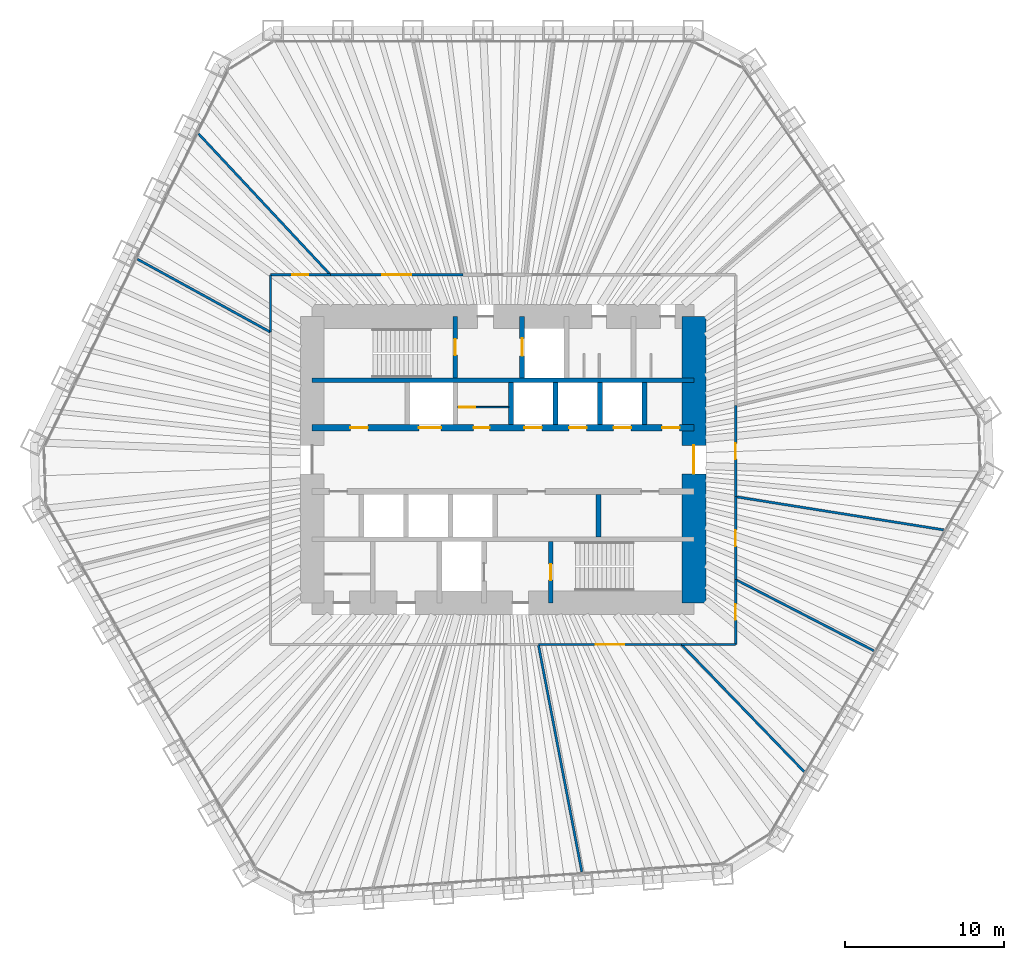
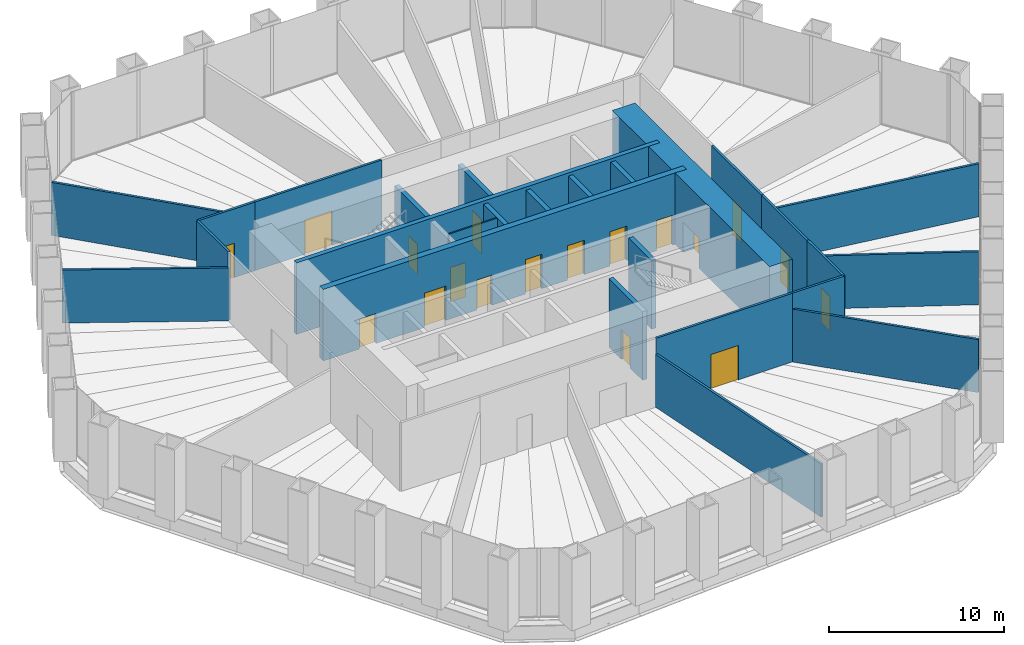
# One storey, part 11 of 13: 26 walls, 18 doors, 18 openings.
"""IFC4 building model written with IfcOpenShell, lengths in metres."""

from ifc_helpers import new_model, si_unit, direction, frame, frame_2d, origin, place, context, subcontext, project, spatial, rectangle, extrude, material, layer, layer_set, type_object, element, fill, save


model = new_model("IFC4")

# Units and contexts
model_context = context("Model", 3, precision=1e-05, world=origin(), true_north=direction((0.0, 1.0)))
body_context = subcontext(model_context, "Body", "Model", "MODEL_VIEW")
ifc_project = project(units=[si_unit("LENGTHUNIT", "METRE"), si_unit("AREAUNIT", "SQUARE_METRE"), si_unit("VOLUMEUNIT", "CUBIC_METRE"), si_unit("PLANEANGLEUNIT", "RADIAN"), si_unit("MASSUNIT", "GRAM", prefix="KILO")], contexts=[model_context])

# Site, building, storey
site_placement = place(None, origin())
site = spatial("IfcSite", under=ifc_project, at=site_placement, CompositionType="ELEMENT")
building_placement = place(site_placement, origin())
building = spatial("IfcBuilding", under=site, at=building_placement, Name="Qingtian Harvest Tower", CompositionType="ELEMENT")
storey_placement = place(building_placement, frame((0.0, 0.0, 77.0)))
storey = spatial("IfcBuildingStorey", under=building, at=storey_placement, Name="L15", CompositionType="ELEMENT", Elevation=77.0)

# Wall
ifc_material_1 = material(Name="Concrete fc' 70 MPa", Category="concrete")
ifc_layer_1 = layer(ifc_material_1, 0.300048828125)
ifc_layer_set_1 = layer_set([ifc_layer_1], Name="Core inner wall RC5 300")
wall_type_1 = type_object("IfcWallType", Name="Core inner wall RC5 300", PredefinedType="SHEAR", material=ifc_layer_set_1)
wall_1_placement = place(storey_placement, frame((-12.0, 5.0, 0.0), z_axis=(0.0, 0.0, 1.0), x_axis=(1.0, 0.0, 0.0)))
element("IfcWall", 1, at=wall_1_placement, inside=storey, type_object=wall_type_1, Name="Core wall IN5 L15", PredefinedType="SHEAR", context=body_context, shape_type="SweptSolid", body=[
    extrude(rectangle(XDim=24.0, YDim=0.300048828125, at=frame_2d((12.0, 0.0))), origin(), (0.0, 0.0, 1.0), 5.0),
])

# Wall, openings, doors
ifc_material_2 = material(Name="Concrete fc' 70 MPa", Category="concrete")
ifc_layer_2 = layer(ifc_material_2, 0.39990234375)
ifc_layer_set_2 = layer_set([ifc_layer_2], Name="Core inner web RC6 400")
wall_type_2 = type_object("IfcWallType", Name="Core inner web RC6 400", PredefinedType="SHEAR", material=ifc_layer_set_2)
wall_2_placement = place(storey_placement, frame((-12.0, 2.0, 0.0), z_axis=(0.0, 0.0, 1.0), x_axis=(1.0, 0.0, 0.0)))
wall_2 = element("IfcWall", 2, at=wall_2_placement, inside=storey, type_object=wall_type_2, Name="Core wall IN2 L15", PredefinedType="SHEAR", context=body_context, shape_type="SweptSolid", body=[
    extrude(rectangle(XDim=24.0, YDim=0.39990234375, at=frame_2d((12.0, 0.0))), origin(), (0.0, 0.0, 1.0), 5.0),
])
opening_1_placement = place(wall_2_placement, frame((2.39990234375, 0.0, 0.0)))
opening_1 = element("IfcOpeningElement", 3, at=opening_1_placement, cuts=wall_2, Name="Opening FD4", PredefinedType="OPENING", context=body_context, shape_type="SweptSolid", body=[
    extrude(rectangle(XDim=1.10009765625, YDim=2.10009765625, at=frame_2d((0.550048828125, 1.050048828125))), frame((0.0, 0.2099609375, 0.0), z_axis=(0.0, -1.0, 0.0), x_axis=(1.0, 0.0, 0.0)), (0.0, 0.0, 1.0), 0.419921875),
])
opening_2_placement = place(wall_2_placement, frame((22.0, 0.0, 0.0)))
opening_2 = element("IfcOpeningElement", 4, at=opening_2_placement, cuts=wall_2, Name="Opening FD4", PredefinedType="OPENING", context=body_context, shape_type="SweptSolid", body=[
    extrude(rectangle(XDim=1.10009765625, YDim=2.10009765625, at=frame_2d((0.550048828125, 1.050048828125))), frame((0.0, 0.2099609375, 0.0), z_axis=(0.0, -1.0, 0.0), x_axis=(1.0, 0.0, 0.0)), (0.0, 0.0, 1.0), 0.419921875),
])
opening_3_placement = place(wall_2_placement, frame((10.14990234375, 0.0, 0.0)))
opening_3 = element("IfcOpeningElement", 5, at=opening_3_placement, cuts=wall_2, Name="Opening FD1", PredefinedType="OPENING", context=body_context, shape_type="SweptSolid", body=[
    extrude(rectangle(XDim=1.0, YDim=2.10009765625, at=frame_2d((0.5, 1.050048828125))), frame((0.0, 0.2099609375, 0.0), z_axis=(0.0, -1.0, 0.0), x_axis=(1.0, 0.0, 0.0)), (0.0, 0.0, 1.0), 0.419921875),
])
opening_4_placement = place(wall_2_placement, frame((6.699951171875, 0.0, 0.0)))
opening_4 = element("IfcOpeningElement", 6, at=opening_4_placement, cuts=wall_2, Name="Opening LD2", PredefinedType="OPENING", context=body_context, shape_type="SweptSolid", body=[
    extrude(rectangle(XDim=1.39990234375, YDim=2.39990234375, at=frame_2d((0.699951171875, 1.199951171875))), frame((0.0, 0.2099609375, 0.0), z_axis=(0.0, -1.0, 0.0), x_axis=(1.0, 0.0, 0.0)), (0.0, 0.0, 1.0), 0.419921875),
])
opening_5_placement = place(wall_2_placement, frame((13.35009765625, 0.0, 0.0)))
opening_5 = element("IfcOpeningElement", 7, at=opening_5_placement, cuts=wall_2, Name="Opening LD1", PredefinedType="OPENING", context=body_context, shape_type="SweptSolid", body=[
    extrude(rectangle(XDim=1.10009765625, YDim=2.39990234375, at=frame_2d((0.550048828125, 1.199951171875))), frame((0.0, 0.2099609375, 0.0), z_axis=(0.0, -1.0, 0.0), x_axis=(1.0, 0.0, 0.0)), (0.0, 0.0, 1.0), 0.419921875),
])
opening_6_placement = place(wall_2_placement, frame((16.14990234375, 0.0, 0.0)))
opening_6 = element("IfcOpeningElement", 8, at=opening_6_placement, cuts=wall_2, Name="Opening LD1", PredefinedType="OPENING", context=body_context, shape_type="SweptSolid", body=[
    extrude(rectangle(XDim=1.10009765625, YDim=2.39990234375, at=frame_2d((0.550048828125, 1.199951171875))), frame((0.0, 0.2099609375, 0.0), z_axis=(0.0, -1.0, 0.0), x_axis=(1.0, 0.0, 0.0)), (0.0, 0.0, 1.0), 0.419921875),
])
opening_7_placement = place(wall_2_placement, frame((18.949951171875, 0.0, 0.0)))
opening_7 = element("IfcOpeningElement", 9, at=opening_7_placement, cuts=wall_2, Name="Opening LD1", PredefinedType="OPENING", context=body_context, shape_type="SweptSolid", body=[
    extrude(rectangle(XDim=1.10009765625, YDim=2.39990234375, at=frame_2d((0.550048828125, 1.199951171875))), frame((0.0, 0.2099609375, 0.0), z_axis=(0.0, -1.0, 0.0), x_axis=(1.0, 0.0, 0.0)), (0.0, 0.0, 1.0), 0.419921875),
])
ifc_material_3 = material(Name="Steel-faced door leaf", Category="steel")
door_type_1 = type_object("IfcDoorType", Name="Fire door FD1 single 1 HR", OperationType="SINGLE_SWING_LEFT", PredefinedType="DOOR", material=ifc_material_3)
door_1_placement = place(opening_3_placement, origin())
door_1 = element("IfcDoor", 10, at=door_1_placement, inside=storey, type_object=door_type_1, Name="STA door L15", OperationType="SINGLE_SWING_LEFT", OverallHeight=2.10009765625, OverallWidth=1.0, PredefinedType="DOOR", context=body_context, shape_type="SweptSolid", body=[
    extrude(rectangle(XDim=1.0, YDim=2.10009765625, at=frame_2d((0.5, 1.050048828125))), frame((0.0, 0.02490234375, 0.0), z_axis=(0.0, -1.0, 0.0), x_axis=(1.0, 0.0, 0.0)), (0.0, 0.0, 1.0), 0.050048828125),
])
fill(opening_3, door_1)
ifc_material_4 = material(Name="Steel-faced door leaf", Category="steel")
door_type_2 = type_object("IfcDoorType", Name="Fire door FD4 single 2 HR", OperationType="SINGLE_SWING_LEFT", PredefinedType="DOOR", material=ifc_material_4)
door_2_placement = place(opening_1_placement, origin())
door_2 = element("IfcDoor", 11, at=door_2_placement, inside=storey, type_object=door_type_2, Name="RA door L15", OperationType="SINGLE_SWING_LEFT", OverallHeight=2.10009765625, OverallWidth=1.10009765625, PredefinedType="DOOR", context=body_context, shape_type="SweptSolid", body=[
    extrude(rectangle(XDim=1.10009765625, YDim=2.10009765625, at=frame_2d((0.550048828125, 1.050048828125))), frame((0.0, 0.02490234375, 0.0), z_axis=(0.0, -1.0, 0.0), x_axis=(1.0, 0.0, 0.0)), (0.0, 0.0, 1.0), 0.050048828125),
])
fill(opening_1, door_2)
door_3_placement = place(opening_2_placement, origin())
door_3 = element("IfcDoor", 12, at=door_3_placement, inside=storey, type_object=door_type_2, Name="AHU door L15", OperationType="SINGLE_SWING_RIGHT", OverallHeight=2.10009765625, OverallWidth=1.10009765625, PredefinedType="DOOR", context=body_context, shape_type="SweptSolid", body=[
    extrude(rectangle(XDim=1.10009765625, YDim=2.10009765625, at=frame_2d((0.550048828125, 1.050048828125))), frame((0.0, 0.02490234375, 0.0), z_axis=(0.0, -1.0, 0.0), x_axis=(1.0, 0.0, 0.0)), (0.0, 0.0, 1.0), 0.050048828125),
])
fill(opening_2, door_3)
ifc_material_5 = material(Name="Stainless steel lift landing door", Category="steel")
door_type_3 = type_object("IfcDoorType", Name="Goods lift landing door LD2 1 HR", OperationType="DOUBLE_DOOR_SLIDING", PredefinedType="DOOR", material=ifc_material_5)
door_4_placement = place(opening_4_placement, origin())
door_4 = element("IfcDoor", 13, at=door_4_placement, inside=storey, type_object=door_type_3, Name="GL1 landing door L15", OperationType="DOUBLE_DOOR_SLIDING", OverallHeight=2.39990234375, OverallWidth=1.39990234375, PredefinedType="DOOR", context=body_context, shape_type="SweptSolid", body=[
    extrude(rectangle(XDim=1.39990234375, YDim=2.39990234375, at=frame_2d((0.699951171875, 1.199951171875))), frame((0.0, 0.02490234375, 0.0), z_axis=(0.0, -1.0, 0.0), x_axis=(1.0, 0.0, 0.0)), (0.0, 0.0, 1.0), 0.050048828125),
])
fill(opening_4, door_4)
ifc_material_6 = material(Name="Stainless steel lift landing door", Category="steel")
door_type_4 = type_object("IfcDoorType", Name="Lift landing door LD1 1 HR", OperationType="DOUBLE_DOOR_SLIDING", PredefinedType="DOOR", material=ifc_material_6)
door_5_placement = place(opening_5_placement, origin())
door_5 = element("IfcDoor", 14, at=door_5_placement, inside=storey, type_object=door_type_4, Name="PLA1 landing door L15", OperationType="DOUBLE_DOOR_SLIDING", OverallHeight=2.39990234375, OverallWidth=1.10009765625, PredefinedType="DOOR", context=body_context, shape_type="SweptSolid", body=[
    extrude(rectangle(XDim=1.10009765625, YDim=2.39990234375, at=frame_2d((0.550048828125, 1.199951171875))), frame((0.0, 0.02490234375, 0.0), z_axis=(0.0, -1.0, 0.0), x_axis=(1.0, 0.0, 0.0)), (0.0, 0.0, 1.0), 0.050048828125),
])
fill(opening_5, door_5)
door_6_placement = place(opening_6_placement, origin())
door_6 = element("IfcDoor", 15, at=door_6_placement, inside=storey, type_object=door_type_4, Name="PLA2 landing door L15", OperationType="DOUBLE_DOOR_SLIDING", OverallHeight=2.39990234375, OverallWidth=1.10009765625, PredefinedType="DOOR", context=body_context, shape_type="SweptSolid", body=[
    extrude(rectangle(XDim=1.10009765625, YDim=2.39990234375, at=frame_2d((0.550048828125, 1.199951171875))), frame((0.0, 0.02490234375, 0.0), z_axis=(0.0, -1.0, 0.0), x_axis=(1.0, 0.0, 0.0)), (0.0, 0.0, 1.0), 0.050048828125),
])
fill(opening_6, door_6)
door_7_placement = place(opening_7_placement, origin())
door_7 = element("IfcDoor", 16, at=door_7_placement, inside=storey, type_object=door_type_4, Name="PLA3 landing door L15", OperationType="DOUBLE_DOOR_SLIDING", OverallHeight=2.39990234375, OverallWidth=1.10009765625, PredefinedType="DOOR", context=body_context, shape_type="SweptSolid", body=[
    extrude(rectangle(XDim=1.10009765625, YDim=2.39990234375, at=frame_2d((0.550048828125, 1.199951171875))), frame((0.0, 0.02490234375, 0.0), z_axis=(0.0, -1.0, 0.0), x_axis=(1.0, 0.0, 0.0)), (0.0, 0.0, 1.0), 0.050048828125),
])
fill(opening_7, door_7)

# Wall, opening, door
ifc_material_7 = material(Name="Precast concrete shaft panel", Category="concrete")
ifc_layer_3 = layer(ifc_material_7, 0.300048828125)
ifc_layer_set_3 = layer_set([ifc_layer_3], Name="Core shaft partition SW1 300")
wall_type_3 = type_object("IfcWallType", Name="Core shaft partition SW1 300", PredefinedType="PARTITIONING", material=ifc_layer_set_3)
wall_3_placement = place(storey_placement, frame((-3.0, 5.14990234375, 0.0), z_axis=(0.0, 0.0, 1.0), x_axis=(0.0, 1.0, 0.0)))
wall_3 = element("IfcWall", 17, at=wall_3_placement, inside=storey, type_object=wall_type_3, Name="Core shaft partition XN1 L15", PredefinedType="PARTITIONING", context=body_context, shape_type="SweptSolid", body=[
    extrude(rectangle(XDim=3.85009765625, YDim=0.300048828125, at=frame_2d((1.925048828125, 0.0))), origin(), (0.0, 0.0, 1.0), 4.780029296875),
])
opening_8_placement = place(wall_3_placement, frame((1.425048828125, 0.0, 0.0)))
opening_8 = element("IfcOpeningElement", 18, at=opening_8_placement, cuts=wall_3, Name="Opening FD1", PredefinedType="OPENING", context=body_context, shape_type="SweptSolid", body=[
    extrude(rectangle(XDim=1.0, YDim=2.10009765625, at=frame_2d((0.5, 1.050048828125))), frame((0.0, 0.159912109375, 0.0), z_axis=(0.0, -1.0, 0.0), x_axis=(1.0, 0.0, 0.0)), (0.0, 0.0, 1.0), 0.320068359375),
])
door_8_placement = place(opening_8_placement, origin())
door_8 = element("IfcDoor", 19, at=door_8_placement, inside=storey, type_object=door_type_1, Name="S1 door L15", OperationType="SINGLE_SWING_RIGHT", OverallHeight=2.10009765625, OverallWidth=1.0, PredefinedType="DOOR", context=body_context, shape_type="SweptSolid", body=[
    extrude(rectangle(XDim=1.0, YDim=2.10009765625, at=frame_2d((0.5, 1.050048828125))), frame((0.0, 0.02490234375, 0.0), z_axis=(0.0, -1.0, 0.0), x_axis=(1.0, 0.0, 0.0)), (0.0, 0.0, 1.0), 0.050048828125),
])
fill(opening_8, door_8)

wall_4_placement = place(storey_placement, frame((1.199951171875, 5.14990234375, 0.0), z_axis=(0.0, 0.0, 1.0), x_axis=(0.0, 1.0, 0.0)))
wall_4 = element("IfcWall", 20, at=wall_4_placement, inside=storey, type_object=wall_type_3, Name="Core shaft partition XN2 L15", PredefinedType="PARTITIONING", context=body_context, shape_type="SweptSolid", body=[
    extrude(rectangle(XDim=3.85009765625, YDim=0.300048828125, at=frame_2d((1.925048828125, 0.0))), origin(), (0.0, 0.0, 1.0), 4.780029296875),
])
opening_9_placement = place(wall_4_placement, frame((1.375, 0.0, 0.0)))
opening_9 = element("IfcOpeningElement", 21, at=opening_9_placement, cuts=wall_4, Name="Opening LD1", PredefinedType="OPENING", context=body_context, shape_type="SweptSolid", body=[
    extrude(rectangle(XDim=1.10009765625, YDim=2.39990234375, at=frame_2d((0.550048828125, 1.199951171875))), frame((0.0, 0.159912109375, 0.0), z_axis=(0.0, -1.0, 0.0), x_axis=(1.0, 0.0, 0.0)), (0.0, 0.0, 1.0), 0.320068359375),
])
door_9_placement = place(opening_9_placement, origin())
door_9 = element("IfcDoor", 22, at=door_9_placement, inside=storey, type_object=door_type_4, Name="FL1 landing door L15", OperationType="DOUBLE_DOOR_SLIDING", OverallHeight=2.39990234375, OverallWidth=1.10009765625, PredefinedType="DOOR", context=body_context, shape_type="SweptSolid", body=[
    extrude(rectangle(XDim=1.10009765625, YDim=2.39990234375, at=frame_2d((0.550048828125, 1.199951171875))), frame((0.0, 0.02490234375, 0.0), z_axis=(0.0, -1.0, 0.0), x_axis=(1.0, 0.0, 0.0)), (0.0, 0.0, 1.0), 0.050048828125),
])
fill(opening_9, door_9)

# Walls
for number, where, z_axis, x_axis, name in (
    (23, (0.5, 2.199951171875, 0.0), (0.0, 0.0, 1.0), (0.0, 1.0, 0.0), "Core shaft partition XA3 L15"),
    (24, (3.300048828125, 2.199951171875, 0.0), (0.0, 0.0, 1.0), (0.0, 1.0, 0.0), "Core shaft partition XA4 L15"),
    (25, (6.10009765625, 2.199951171875, 0.0), (0.0, 0.0, 1.0), (0.0, 1.0, 0.0), "Core shaft partition XA5 L15"),
    (26, (8.89990234375, 2.199951171875, 0.0), (0.0, 0.0, 1.0), (0.0, 1.0, 0.0), "Core shaft partition XA6 L15"),
    (27, (6.0, -4.85009765625, 0.0), (0.0, 0.0, 1.0), (0.0, 1.0, 0.0), "Core shaft partition XB5 L15"),
):
    element("IfcWall", number, at=place(storey_placement, frame(where, z_axis=z_axis, x_axis=x_axis)), inside=storey, type_object=wall_type_3, Name=name, PredefinedType="PARTITIONING", context=body_context, shape_type="SweptSolid", body=[
        extrude(rectangle(XDim=2.650146484375, YDim=0.300048828125, at=frame_2d((1.3251953125, 0.0))), origin(), (0.0, 0.0, 1.0), 4.780029296875),
    ])

# Wall, opening, door
wall_5_placement = place(storey_placement, frame((3.0, -9.0, 0.0), z_axis=(0.0, 0.0, 1.0), x_axis=(0.0, 1.0, 0.0)))
wall_5 = element("IfcWall", 28, at=wall_5_placement, inside=storey, type_object=wall_type_3, Name="Core shaft partition XS4 L15", PredefinedType="PARTITIONING", context=body_context, shape_type="SweptSolid", body=[
    extrude(rectangle(XDim=3.85009765625, YDim=0.300048828125, at=frame_2d((1.925048828125, 0.0))), origin(), (0.0, 0.0, 1.0), 4.780029296875),
])
opening_10_placement = place(wall_5_placement, frame((1.425048828125, 0.0, 0.0)))
opening_10 = element("IfcOpeningElement", 29, at=opening_10_placement, cuts=wall_5, Name="Opening FD1", PredefinedType="OPENING", context=body_context, shape_type="SweptSolid", body=[
    extrude(rectangle(XDim=1.0, YDim=2.10009765625, at=frame_2d((0.5, 1.050048828125))), frame((0.0, 0.159912109375, 0.0), z_axis=(0.0, -1.0, 0.0), x_axis=(1.0, 0.0, 0.0)), (0.0, 0.0, 1.0), 0.320068359375),
])
door_10_placement = place(opening_10_placement, origin())
door_10 = element("IfcDoor", 30, at=door_10_placement, inside=storey, type_object=door_type_1, Name="S2 door L15", OperationType="SINGLE_SWING_LEFT", OverallHeight=2.10009765625, OverallWidth=1.0, PredefinedType="DOOR", context=body_context, shape_type="SweptSolid", body=[
    extrude(rectangle(XDim=1.0, YDim=2.10009765625, at=frame_2d((0.5, 1.050048828125))), frame((0.0, 0.02490234375, 0.0), z_axis=(0.0, -1.0, 0.0), x_axis=(1.0, 0.0, 0.0)), (0.0, 0.0, 1.0), 0.050048828125),
])
fill(opening_10, door_10)

ifc_material_8 = material(Name="Concrete fc' 70 MPa", Category="concrete")
ifc_layer_4 = layer(ifc_material_8, 1.5)
ifc_layer_set_4 = layer_set([ifc_layer_4], Name="Core wall RC1 1500")
wall_type_4 = type_object("IfcWallType", Name="Core wall RC1 1500", PredefinedType="SHEAR", material=ifc_layer_set_4)
wall_6_placement = place(storey_placement, frame((12.0, -9.0, 0.0), z_axis=(0.0, 0.0, 1.0), x_axis=(0.0, 1.0, 0.0)))
wall_6 = element("IfcWall", 31, at=wall_6_placement, inside=storey, type_object=wall_type_4, Name="Core wall CE L15", PredefinedType="SHEAR", context=body_context, shape_type="SweptSolid", body=[
    extrude(rectangle(XDim=18.0, YDim=1.5, at=frame_2d((9.0, 0.0))), origin(), (0.0, 0.0, 1.0), 5.0),
])
opening_11_placement = place(wall_6_placement, frame((8.10009765625, 0.0, 0.0)))
opening_11 = element("IfcOpeningElement", 32, at=opening_11_placement, cuts=wall_6, Name="Opening FD2", PredefinedType="OPENING", context=body_context, shape_type="SweptSolid", body=[
    extrude(rectangle(XDim=1.800048828125, YDim=2.10009765625, at=frame_2d((0.89990234375, 1.050048828125))), frame((0.0, 0.760009765625, 0.0), z_axis=(0.0, -1.0, 0.0), x_axis=(1.0, 0.0, 0.0)), (0.0, 0.0, 1.0), 1.52001953125),
])
ifc_material_9 = material(Name="Steel-faced door leaf", Category="steel")
door_type_5 = type_object("IfcDoorType", Name="Fire door FD2 double 1 HR", OperationType="DOUBLE_DOOR_DOUBLE_SWING", PredefinedType="DOOR", material=ifc_material_9)
door_11_placement = place(opening_11_placement, origin())
door_11 = element("IfcDoor", 33, at=door_11_placement, inside=storey, type_object=door_type_5, Name="LOBBY-E door L15", OperationType="DOUBLE_DOOR_DOUBLE_SWING", OverallHeight=2.10009765625, OverallWidth=1.800048828125, PredefinedType="DOOR", context=body_context, shape_type="SweptSolid", body=[
    extrude(rectangle(XDim=1.800048828125, YDim=2.10009765625, at=frame_2d((0.89990234375, 1.050048828125))), frame((0.0, 0.02490234375, 0.0), z_axis=(0.0, -1.0, 0.0), x_axis=(1.0, 0.0, 0.0)), (0.0, 0.0, 1.0), 0.050048828125),
])
fill(opening_11, door_11)

# Wall
ifc_material_10 = material(Name="Gypsum board on steel studs", Category="steel")
ifc_layer_5 = layer(ifc_material_10, 0.14990234375)
ifc_layer_set_5 = layer_set([ifc_layer_5], Name="Partition PT1 150")
wall_type_5 = type_object("IfcWallType", Name="Partition PT1 150", PredefinedType="PARTITIONING", material=ifc_layer_set_5)
wall_7_placement = place(storey_placement, frame((18.93115234375, -19.617919921875, 0.0), z_axis=(0.0, 0.0, 1.0), x_axis=(-0.694400324326, 0.719588903178, 0.0)))
element("IfcWall", 34, at=wall_7_placement, inside=storey, type_object=wall_type_5, Name="Tomato growing room wall L15", PredefinedType="PARTITIONING", context=body_context, shape_type="SweptSolid", body=[
    extrude(rectangle(XDim=11.107666015625, YDim=0.14990234375, at=frame_2d((5.5537109375, 0.0))), origin(), (0.0, 0.0, 1.0), 3.699951171875),
])

# Wall, opening, door
wall_8_placement = place(storey_placement, frame((11.218017578125, -11.625, 0.0), z_axis=(0.0, 0.0, 1.0), x_axis=(-1.0, 0.0, 0.0)))
wall_8 = element("IfcWall", 35, at=wall_8_placement, inside=storey, type_object=wall_type_5, Name="Tomato growing room wall L15", PredefinedType="PARTITIONING", context=body_context, shape_type="SweptSolid", body=[
    extrude(rectangle(XDim=8.99560546875, YDim=0.14990234375, at=frame_2d((4.497802734375, 0.0))), origin(), (0.0, 0.0, 1.0), 4.800048828125),
])
opening_12_placement = place(wall_8_placement, frame((3.597900390625, 0.0, 0.0)))
opening_12 = element("IfcOpeningElement", 36, at=opening_12_placement, cuts=wall_8, Name="Opening D3", PredefinedType="OPENING", context=body_context, shape_type="SweptSolid", body=[
    extrude(rectangle(XDim=1.800048828125, YDim=2.39990234375, at=frame_2d((0.89990234375, 1.199951171875))), frame((0.0, 0.0849609375, 0.0), z_axis=(0.0, -1.0, 0.0), x_axis=(1.0, 0.0, 0.0)), (0.0, 0.0, 1.0), 0.169921875),
])
ifc_material_11 = material(Name="Laminated timber door leaf", Category="wood")
door_type_6 = type_object("IfcDoorType", Name="Room door D3 double", OperationType="DOUBLE_DOOR_DOUBLE_SWING", PredefinedType="DOOR", material=ifc_material_11)
door_12_placement = place(opening_12_placement, origin())
door_12 = element("IfcDoor", 37, at=door_12_placement, inside=storey, type_object=door_type_6, Name="Tomato growing room door L15", OperationType="DOUBLE_DOOR_DOUBLE_SWING", OverallHeight=2.39990234375, OverallWidth=1.800048828125, PredefinedType="DOOR", context=body_context, shape_type="SweptSolid", body=[
    extrude(rectangle(XDim=1.800048828125, YDim=2.39990234375, at=frame_2d((0.89990234375, 1.199951171875))), frame((0.0, 0.02490234375, 0.0), z_axis=(0.0, -1.0, 0.0), x_axis=(1.0, 0.0, 0.0)), (0.0, 0.0, 1.0), 0.050048828125),
])
fill(opening_12, door_12)

# Walls
wall_9_placement = place(storey_placement, frame((4.955078125, -25.918212890625, 0.0), z_axis=(0.0, 0.0, 1.0), x_axis=(-0.187785090129, 0.98221014041, 0.0)))
element("IfcWall", 38, at=wall_9_placement, inside=storey, type_object=wall_type_5, Name="Strawberry growing room wall L15", PredefinedType="PARTITIONING", context=body_context, shape_type="SweptSolid", body=[
    extrude(rectangle(XDim=14.552001953125, YDim=0.14990234375, at=frame_2d((7.27587890625, 0.0))), origin(), (0.0, 0.0, 1.0), 3.699951171875),
])
wall_10_placement = place(storey_placement, frame((-22.999267578125, 12.611572265625, 0.0), z_axis=(0.0, 0.0, 1.0), x_axis=(0.876825619135, -0.480808520752, 0.0)))
element("IfcWall", 39, at=wall_10_placement, inside=storey, type_object=wall_type_5, Name="Seedling nursery wall L15", PredefinedType="PARTITIONING", context=body_context, shape_type="SweptSolid", body=[
    extrude(rectangle(XDim=9.55078125, YDim=0.14990234375, at=frame_2d((4.775390625, 0.0))), origin(), (0.0, 0.0, 1.0), 3.699951171875),
])
wall_11_placement = place(storey_placement, frame((-14.625, 8.01953125, 0.0), z_axis=(0.0, 0.0, 1.0), x_axis=(0.0, 1.0, 0.0)))
element("IfcWall", 40, at=wall_11_placement, inside=storey, type_object=wall_type_5, Name="Seedling nursery wall L15", PredefinedType="PARTITIONING", context=body_context, shape_type="SweptSolid", body=[
    extrude(rectangle(XDim=3.60546875, YDim=0.14990234375, at=frame_2d((1.802734375, 0.0))), origin(), (0.0, 0.0, 1.0), 4.800048828125),
])

# Wall, opening, door
wall_12_placement = place(storey_placement, frame((-14.625, 11.625, 0.0), z_axis=(0.0, 0.0, 1.0), x_axis=(1.0, 0.0, 0.0)))
wall_12 = element("IfcWall", 41, at=wall_12_placement, inside=storey, type_object=wall_type_5, Name="Seedling nursery wall L15", PredefinedType="PARTITIONING", context=body_context, shape_type="SweptSolid", body=[
    extrude(rectangle(XDim=3.763671875, YDim=0.14990234375, at=frame_2d((1.8818359375, 0.0))), origin(), (0.0, 0.0, 1.0), 4.800048828125),
])
opening_13_placement = place(wall_12_placement, frame((1.3818359375, 0.0, 0.0)))
opening_13 = element("IfcOpeningElement", 42, at=opening_13_placement, cuts=wall_12, Name="Opening D2", PredefinedType="OPENING", context=body_context, shape_type="SweptSolid", body=[
    extrude(rectangle(XDim=1.0, YDim=2.39990234375, at=frame_2d((0.5, 1.199951171875))), frame((0.0, 0.0849609375, 0.0), z_axis=(0.0, -1.0, 0.0), x_axis=(1.0, 0.0, 0.0)), (0.0, 0.0, 1.0), 0.169921875),
])
ifc_material_12 = material(Name="Laminated timber door leaf", Category="wood")
door_type_7 = type_object("IfcDoorType", Name="Room door D2 single", OperationType="SINGLE_SWING_LEFT", PredefinedType="DOOR", material=ifc_material_12)
door_13_placement = place(opening_13_placement, origin())
door_13 = element("IfcDoor", 43, at=door_13_placement, inside=storey, type_object=door_type_7, Name="Seedling nursery door L15", OperationType="SINGLE_SWING_LEFT", OverallHeight=2.39990234375, OverallWidth=1.0, PredefinedType="DOOR", context=body_context, shape_type="SweptSolid", body=[
    extrude(rectangle(XDim=1.0, YDim=2.39990234375, at=frame_2d((0.5, 1.199951171875))), frame((0.0, 0.02490234375, 0.0), z_axis=(0.0, -1.0, 0.0), x_axis=(1.0, 0.0, 0.0)), (0.0, 0.0, 1.0), 0.050048828125),
])
fill(opening_13, door_13)

# Wall
wall_13_placement = place(storey_placement, frame((-19.156982421875, 20.504150390625, 0.0), z_axis=(0.0, 0.0, 1.0), x_axis=(0.682689688298, -0.73070841619, 0.0)))
element("IfcWall", 44, at=wall_13_placement, inside=storey, type_object=wall_type_5, Name="Fruit ripening room wall L15", PredefinedType="PARTITIONING", context=body_context, shape_type="SweptSolid", body=[
    extrude(rectangle(XDim=12.1513671875, YDim=0.14990234375, at=frame_2d((6.07568359375, 0.0))), origin(), (0.0, 0.0, 1.0), 3.699951171875),
])

# Wall, opening, door
wall_14_placement = place(storey_placement, frame((-10.861328125, 11.625, 0.0), z_axis=(0.0, 0.0, 1.0), x_axis=(1.0, 0.0, 0.0)))
wall_14 = element("IfcWall", 45, at=wall_14_placement, inside=storey, type_object=wall_type_5, Name="Fruit ripening room wall L15", PredefinedType="PARTITIONING", context=body_context, shape_type="SweptSolid", body=[
    extrude(rectangle(XDim=8.358642578125, YDim=0.14990234375, at=frame_2d((4.17919921875, 0.0))), origin(), (0.0, 0.0, 1.0), 4.800048828125),
])
opening_14_placement = place(wall_14_placement, frame((3.279296875, 0.0, 0.0)))
opening_14 = element("IfcOpeningElement", 46, at=opening_14_placement, cuts=wall_14, Name="Opening D3", PredefinedType="OPENING", context=body_context, shape_type="SweptSolid", body=[
    extrude(rectangle(XDim=1.800048828125, YDim=2.39990234375, at=frame_2d((0.89990234375, 1.199951171875))), frame((0.0, 0.0849609375, 0.0), z_axis=(0.0, -1.0, 0.0), x_axis=(1.0, 0.0, 0.0)), (0.0, 0.0, 1.0), 0.169921875),
])
door_14_placement = place(opening_14_placement, origin())
door_14 = element("IfcDoor", 47, at=door_14_placement, inside=storey, type_object=door_type_6, Name="Fruit ripening room door L15", OperationType="DOUBLE_DOOR_DOUBLE_SWING", OverallHeight=2.39990234375, OverallWidth=1.800048828125, PredefinedType="DOOR", context=body_context, shape_type="SweptSolid", body=[
    extrude(rectangle(XDim=1.800048828125, YDim=2.39990234375, at=frame_2d((0.89990234375, 1.199951171875))), frame((0.0, 0.02490234375, 0.0), z_axis=(0.0, -1.0, 0.0), x_axis=(1.0, 0.0, 0.0)), (0.0, 0.0, 1.0), 0.050048828125),
])
fill(opening_14, door_14)

wall_15_placement = place(storey_placement, frame((14.625, 3.39111328125, 0.0), z_axis=(0.0, 0.0, 1.0), x_axis=(0.0, -1.0, 0.0)))
wall_15 = element("IfcWall", 48, at=wall_15_placement, inside=storey, type_object=wall_type_5, Name="Seedling nursery wall L15", PredefinedType="PARTITIONING", context=body_context, shape_type="SweptSolid", body=[
    extrude(rectangle(XDim=5.7216796875, YDim=0.14990234375, at=frame_2d((2.86083984375, 0.0))), origin(), (0.0, 0.0, 1.0), 4.800048828125),
])
opening_15_placement = place(wall_15_placement, frame((2.36083984375, 0.0, 0.0)))
opening_15 = element("IfcOpeningElement", 49, at=opening_15_placement, cuts=wall_15, Name="Opening D2", PredefinedType="OPENING", context=body_context, shape_type="SweptSolid", body=[
    extrude(rectangle(XDim=1.0, YDim=2.39990234375, at=frame_2d((0.5, 1.199951171875))), frame((0.0, 0.0849609375, 0.0), z_axis=(0.0, -1.0, 0.0), x_axis=(1.0, 0.0, 0.0)), (0.0, 0.0, 1.0), 0.169921875),
])
door_15_placement = place(opening_15_placement, origin())
door_15 = element("IfcDoor", 50, at=door_15_placement, inside=storey, type_object=door_type_7, Name="Seedling nursery door L15", OperationType="SINGLE_SWING_RIGHT", OverallHeight=2.39990234375, OverallWidth=1.0, PredefinedType="DOOR", context=body_context, shape_type="SweptSolid", body=[
    extrude(rectangle(XDim=1.0, YDim=2.39990234375, at=frame_2d((0.5, 1.199951171875))), frame((0.0, 0.02490234375, 0.0), z_axis=(0.0, -1.0, 0.0), x_axis=(1.0, 0.0, 0.0)), (0.0, 0.0, 1.0), 0.050048828125),
])
fill(opening_15, door_15)

# Wall
wall_16_placement = place(storey_placement, frame((27.711181640625, -4.416015625, 0.0), z_axis=(0.0, 0.0, 1.0), x_axis=(-0.987538625309, 0.15737682016, 0.0)))
element("IfcWall", 51, at=wall_16_placement, inside=storey, type_object=wall_type_5, Name="Harvest wash room wall L15", PredefinedType="PARTITIONING", context=body_context, shape_type="SweptSolid", body=[
    extrude(rectangle(XDim=13.251220703125, YDim=0.14990234375, at=frame_2d((6.62548828125, 0.0))), origin(), (0.0, 0.0, 1.0), 3.699951171875),
])

# Wall, opening, door
wall_17_placement = place(storey_placement, frame((14.625, -2.33056640625, 0.0), z_axis=(0.0, 0.0, 1.0), x_axis=(0.0, -1.0, 0.0)))
wall_17 = element("IfcWall", 52, at=wall_17_placement, inside=storey, type_object=wall_type_5, Name="Harvest wash room wall L15", PredefinedType="PARTITIONING", context=body_context, shape_type="SweptSolid", body=[
    extrude(rectangle(XDim=5.205810546875, YDim=0.14990234375, at=frame_2d((2.60302734375, 0.0))), origin(), (0.0, 0.0, 1.0), 4.800048828125),
])
opening_16_placement = place(wall_17_placement, frame((2.102783203125, 0.0, 0.0)))
opening_16 = element("IfcOpeningElement", 53, at=opening_16_placement, cuts=wall_17, Name="Opening D2", PredefinedType="OPENING", context=body_context, shape_type="SweptSolid", body=[
    extrude(rectangle(XDim=1.0, YDim=2.39990234375, at=frame_2d((0.5, 1.199951171875))), frame((0.0, 0.0849609375, 0.0), z_axis=(0.0, -1.0, 0.0), x_axis=(1.0, 0.0, 0.0)), (0.0, 0.0, 1.0), 0.169921875),
])
door_16_placement = place(opening_16_placement, origin())
door_16 = element("IfcDoor", 54, at=door_16_placement, inside=storey, type_object=door_type_7, Name="Harvest wash room door L15", OperationType="SINGLE_SWING_RIGHT", OverallHeight=2.39990234375, OverallWidth=1.0, PredefinedType="DOOR", context=body_context, shape_type="SweptSolid", body=[
    extrude(rectangle(XDim=1.0, YDim=2.39990234375, at=frame_2d((0.5, 1.199951171875))), frame((0.0, 0.02490234375, 0.0), z_axis=(0.0, -1.0, 0.0), x_axis=(1.0, 0.0, 0.0)), (0.0, 0.0, 1.0), 0.050048828125),
])
fill(opening_16, door_16)

# Wall
wall_18_placement = place(storey_placement, frame((23.31640625, -12.01513671875, 0.0), z_axis=(0.0, 0.0, 1.0), x_axis=(-0.888917561609, 0.458067209767, 0.0)))
element("IfcWall", 55, at=wall_18_placement, inside=storey, type_object=wall_type_5, Name="Pepper growing room wall L15", PredefinedType="PARTITIONING", context=body_context, shape_type="SweptSolid", body=[
    extrude(rectangle(XDim=9.777587890625, YDim=0.14990234375, at=frame_2d((4.888671875, 0.0))), origin(), (0.0, 0.0, 1.0), 3.699951171875),
])

# Wall, opening, door
wall_19_placement = place(storey_placement, frame((14.625, -7.536376953125, 0.0), z_axis=(0.0, 0.0, 1.0), x_axis=(0.0, -1.0, 0.0)))
wall_19 = element("IfcWall", 56, at=wall_19_placement, inside=storey, type_object=wall_type_5, Name="Pepper growing room wall L15", PredefinedType="PARTITIONING", context=body_context, shape_type="SweptSolid", body=[
    extrude(rectangle(XDim=4.088623046875, YDim=0.14990234375, at=frame_2d((2.04443359375, 0.0))), origin(), (0.0, 0.0, 1.0), 4.800048828125),
])
opening_17_placement = place(wall_19_placement, frame((1.54443359375, 0.0, 0.0)))
opening_17 = element("IfcOpeningElement", 57, at=opening_17_placement, cuts=wall_19, Name="Opening D2", PredefinedType="OPENING", context=body_context, shape_type="SweptSolid", body=[
    extrude(rectangle(XDim=1.0, YDim=2.39990234375, at=frame_2d((0.5, 1.199951171875))), frame((0.0, 0.0849609375, 0.0), z_axis=(0.0, -1.0, 0.0), x_axis=(1.0, 0.0, 0.0)), (0.0, 0.0, 1.0), 0.169921875),
])
door_17_placement = place(opening_17_placement, origin())
door_17 = element("IfcDoor", 58, at=door_17_placement, inside=storey, type_object=door_type_7, Name="Pepper growing room door L15", OperationType="SINGLE_SWING_RIGHT", OverallHeight=2.39990234375, OverallWidth=1.0, PredefinedType="DOOR", context=body_context, shape_type="SweptSolid", body=[
    extrude(rectangle(XDim=1.0, YDim=2.39990234375, at=frame_2d((0.5, 1.199951171875))), frame((0.0, 0.02490234375, 0.0), z_axis=(0.0, -1.0, 0.0), x_axis=(1.0, 0.0, 0.0)), (0.0, 0.0, 1.0), 0.050048828125),
])
fill(opening_17, door_17)

# Wall
wall_20_placement = place(storey_placement, frame((14.625, -11.625, 0.0), z_axis=(0.0, 0.0, 1.0), x_axis=(-1.0, 0.0, 0.0)))
element("IfcWall", 59, at=wall_20_placement, inside=storey, type_object=wall_type_5, Name="Pepper growing room wall L15", PredefinedType="PARTITIONING", context=body_context, shape_type="SweptSolid", body=[
    extrude(rectangle(XDim=3.406982421875, YDim=0.14990234375, at=frame_2d((1.70361328125, 0.0))), origin(), (0.0, 0.0, 1.0), 4.800048828125),
])

# Wall, opening, door
ifc_material_13 = material(Name="Concrete block partition", Category="concrete")
ifc_layer_6 = layer(ifc_material_13, 0.10009765625)
ifc_layer_set_6 = layer_set([ifc_layer_6], Name="Store partition PT3 100")
wall_type_6 = type_object("IfcWallType", Name="Store partition PT3 100", PredefinedType="PARTITIONING", material=ifc_layer_set_6)
wall_21_placement = place(storey_placement, frame((-2.85009765625, 3.300048828125, 0.0), z_axis=(0.0, 0.0, 1.0), x_axis=(1.0, 0.0, 0.0)))
wall_21 = element("IfcWall", 60, at=wall_21_placement, inside=storey, type_object=wall_type_6, Name="Nutrient store wall L15", PredefinedType="PARTITIONING", context=body_context, shape_type="SweptSolid", body=[
    extrude(rectangle(XDim=3.2001953125, YDim=0.10009765625, at=frame_2d((1.60009765625, 0.0))), origin(), (0.0, 0.0, 1.0), 4.780029296875),
])
opening_18_placement = place(wall_21_placement, frame((0.10009765625, 0.0, 0.0)))
opening_18 = element("IfcOpeningElement", 61, at=opening_18_placement, cuts=wall_21, Name="Opening D2", PredefinedType="OPENING", context=body_context, shape_type="SweptSolid", body=[
    extrude(rectangle(XDim=1.0, YDim=2.39990234375, at=frame_2d((0.5, 1.199951171875))), frame((0.0, 0.06005859375, 0.0), z_axis=(0.0, -1.0, 0.0), x_axis=(1.0, 0.0, 0.0)), (0.0, 0.0, 1.0), 0.1201171875),
])
door_18_placement = place(opening_18_placement, origin())
door_18 = element("IfcDoor", 62, at=door_18_placement, inside=storey, type_object=door_type_7, Name="Nutrient store door L15", OperationType="SINGLE_SWING_RIGHT", OverallHeight=2.39990234375, OverallWidth=1.0, PredefinedType="DOOR", context=body_context, shape_type="SweptSolid", body=[
    extrude(rectangle(XDim=1.0, YDim=2.39990234375, at=frame_2d((0.5, 1.199951171875))), frame((0.0, 0.02490234375, 0.0), z_axis=(0.0, -1.0, 0.0), x_axis=(1.0, 0.0, 0.0)), (0.0, 0.0, 1.0), 0.050048828125),
])
fill(opening_18, door_18)

save(model, "model.ifc")
